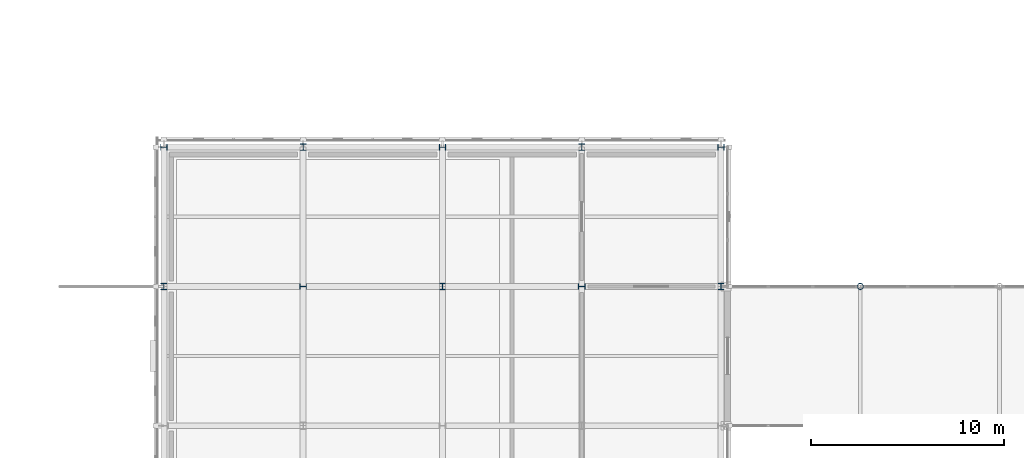
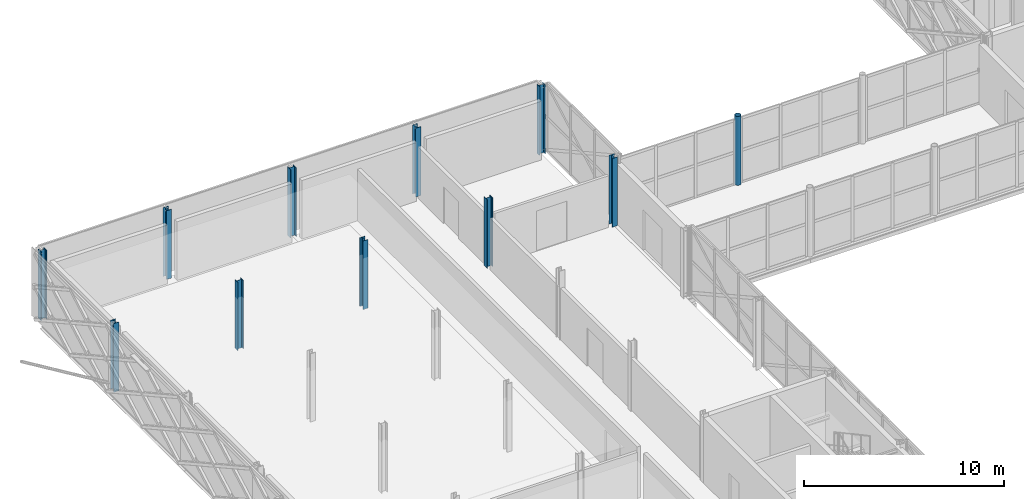
# One storey, part 14 of 146: 11 columns.
"""IFC4 building model written with IfcOpenShell, lengths in metres."""

from ifc_helpers import new_model, si_unit, direction, frame, origin, origin_2d, place, context, subcontext, project, spatial, hollow_circle, i_section, extrude, material, material_profile, profile_set, type_object, element, save


model = new_model("IFC4")

# Units and contexts
model_context = context("Model", 3, precision=1e-05, world=origin(), true_north=direction((0.0, 1.0)))
body_context = subcontext(model_context, "Body", "Model", "MODEL_VIEW")
ifc_project = project(units=[si_unit("LENGTHUNIT", "METRE"), si_unit("AREAUNIT", "SQUARE_METRE"), si_unit("VOLUMEUNIT", "CUBIC_METRE"), si_unit("PLANEANGLEUNIT", "RADIAN"), si_unit("MASSUNIT", "GRAM", prefix="KILO")], contexts=[model_context])

# Site, building, storey
site_placement = place(None, origin())
site = spatial("IfcSite", under=ifc_project, at=site_placement, CompositionType="ELEMENT")
building_placement = place(site_placement, origin())
building = spatial("IfcBuilding", under=site, at=building_placement, Name="Zlatovets Crest Museum", CompositionType="ELEMENT")
storey_placement = place(building_placement, frame((0.0, 0.0, 4.5)))
storey = spatial("IfcBuildingStorey", under=building, at=storey_placement, Name="L01", CompositionType="ELEMENT", Elevation=4.5)

# Columns
ifc_material = material(Name="Structural steel S355J2", Category="steel")
ifc_material_profile_1 = material_profile(ifc_material, hollow_circle(Radius=0.161865234375, WallThickness=0.012451171875, at=origin_2d()), Name="CHS 323.9x12.5")
ifc_profile_set_1 = profile_set([ifc_material_profile_1], Name="Structural steel S355J2")
column_type_1 = type_object("IfcColumnType", Name="Col_C-13", PredefinedType="COLUMN", material=ifc_profile_set_1)
column_placement = place(storey_placement, frame((43.199951171875, 93.60009765625, 0.0), z_axis=(0.0, 0.0, 1.0), x_axis=(1.0, 0.0, 0.0)))
element("IfcColumn", 1, at=column_placement, inside=storey, type_object=column_type_1, Name="Northwest Crest Glazed Link Bridge Portal Column", PredefinedType="COLUMN", context=body_context, shape_type="SweptSolid", body=[
    extrude(hollow_circle(Radius=0.161865234375, WallThickness=0.012451171875, at=origin_2d()), origin(), (0.0, 0.0, 1.0), 4.199951171875),
])
ifc_material_profile_2 = material_profile(ifc_material, i_section(OverallWidth=0.300048828125, OverallDepth=0.340087890625, WebThickness=0.011962890625, FlangeThickness=0.021484375, FilletRadius=0.027099609375, at=origin_2d()), Name="HEB 340")
ifc_profile_set_2 = profile_set([ifc_material_profile_2], Name="Structural steel S355J2")
column_type_2 = type_object("IfcColumnType", Name="Col_C-15", PredefinedType="COLUMN", material=ifc_profile_set_2)
for number, where, z_axis, x_axis, name in (
    (2, (7.199951171875, 93.60009765625, 0.0), (0.0, 0.0, 1.0), (1.0, 0.0, 0.0), "V4 L01 Column (7.2, 93.6)"),
    (3, (7.199951171875, 100.800048828125, 0.0), (0.0, 0.0, 1.0), (0.0, 1.0, 0.0), "V4 L01 Column (7.2, 100.8)"),
    (4, (14.39990234375, 93.60009765625, 0.0), (0.0, 0.0, 1.0), (0.0, 1.0, 0.0), "V4 L01 Column (14.4, 93.6)"),
    (5, (14.39990234375, 100.800048828125, 0.0), (0.0, 0.0, 1.0), (1.0, 0.0, 0.0), "V4 L01 Column (14.4, 100.8)"),
    (6, (21.60009765625, 93.60009765625, 0.0), (0.0, 0.0, 1.0), (1.0, 0.0, 0.0), "V4 L01 Column (21.6, 93.6)"),
    (7, (21.60009765625, 100.800048828125, 0.0), (0.0, 0.0, 1.0), (0.0, 1.0, 0.0), "V4 L01 Column (21.6, 100.8)"),
    (8, (28.800048828125, 93.60009765625, 0.0), (0.0, 0.0, 1.0), (0.0, 1.0, 0.0), "V4 L01 Column (28.8, 93.6)"),
    (9, (28.800048828125, 100.800048828125, 0.0), (0.0, 0.0, 1.0), (1.0, 0.0, 0.0), "V4 L01 Column (28.8, 100.8)"),
    (10, (36.0, 93.60009765625, 0.0), (0.0, 0.0, 1.0), (1.0, 0.0, 0.0), "V4 L01 Column (36.0, 93.6)"),
    (11, (36.0, 100.800048828125, 0.0), (0.0, 0.0, 1.0), (0.0, 1.0, 0.0), "V4 L01 Column (36.0, 100.8)"),
):
    element("IfcColumn", number, at=place(storey_placement, frame(where, z_axis=z_axis, x_axis=x_axis)), inside=storey, type_object=column_type_2, Name=name, PredefinedType="COLUMN", context=body_context, shape_type="SweptSolid", body=[
        extrude(i_section(OverallWidth=0.300048828125, OverallDepth=0.340087890625, WebThickness=0.011962890625, FlangeThickness=0.021484375, FilletRadius=0.027099609375, at=origin_2d()), origin(), (0.0, 0.0, 1.0), 4.199951171875),
    ])

save(model, "model.ifc")
